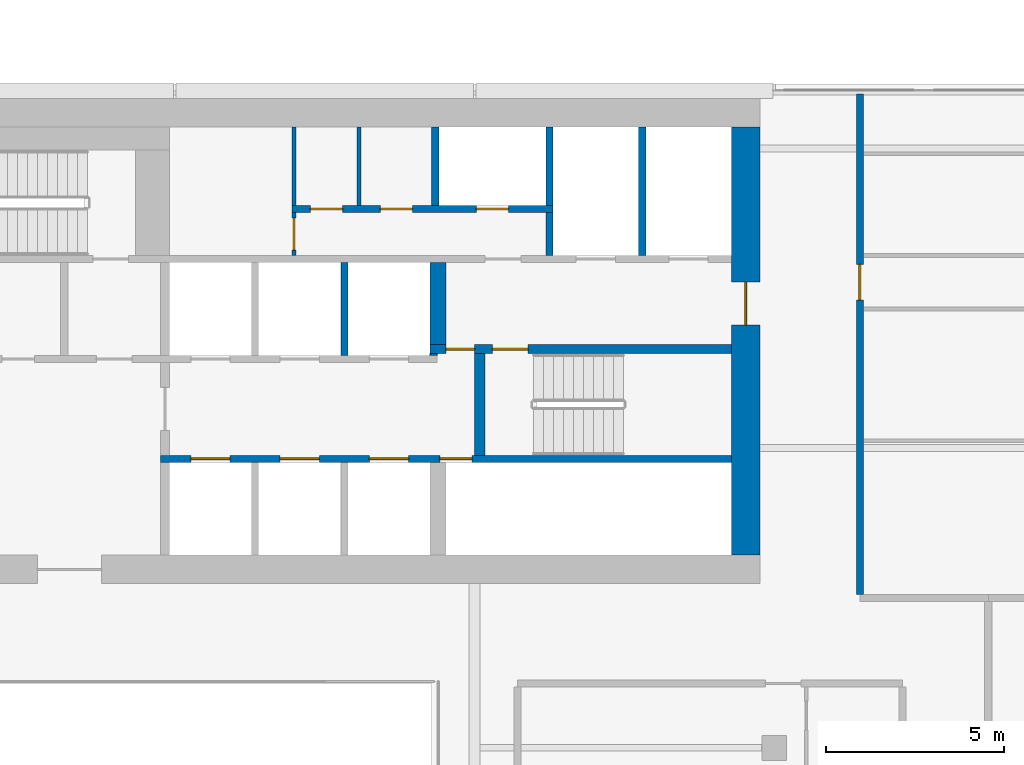
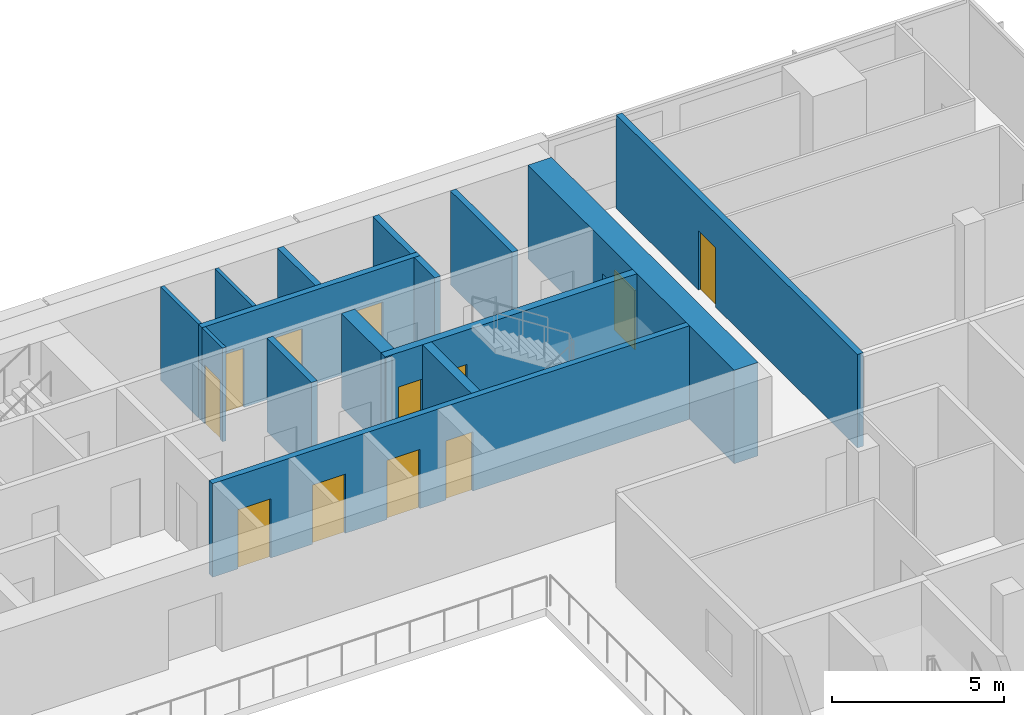
# One storey, part 22 of 28: 16 walls, 12 doors, 12 openings.
"""IFC4 building model written with IfcOpenShell, lengths in metres."""

import ifcopenshell
import ifcopenshell.guid

model = None  # the IFC model being written
_history = None  # IfcOwnerHistory: only IFC2X3 demands one
_inside = {}  # id of a spatial element -> (the spatial element, [elements in it])
_under = {}  # id of a project, library or spatial element -> (it, [spatial elements below it])
_declared = {}  # id of a project -> (the project, [libraries it declares])
_typed = {}  # id of a type object -> (the type object, [elements of that type])
_made_of = {}  # id of a material, layer set ... -> (it, [elements and type objects made of it])


def new_model(schema):
    """Start an empty IFC model of exactly this schema.

    Asked for "IFC4X3", IfcOpenShell would pick the latest addendum, in which some entities
    have other attributes; the version numbers below select the first issue.
    IFC2X3 requires an IfcOwnerHistory on every rooted entity: one is made here for all.
    """
    global model, _history
    if schema == "IFC4X3":
        model = ifcopenshell.file(schema_version=(4, 3, 0, 0))
    else:
        model = ifcopenshell.file(schema=schema)
    _inside.clear()
    _under.clear()
    _declared.clear()
    _typed.clear()
    _made_of.clear()
    _history = None
    if model.schema == "IFC2X3":
        org = make("IfcOrganization", Name="unknown")
        user = make(
            "IfcPersonAndOrganization",
            ThePerson=make("IfcPerson", FamilyName="unknown"),
            TheOrganization=org,
        )
        app = make(
            "IfcApplication",
            ApplicationDeveloper=org,
            Version="unknown",
            ApplicationFullName="unknown",
            ApplicationIdentifier="unknown",
        )
        _history = make(
            "IfcOwnerHistory",
            OwningUser=user,
            OwningApplication=app,
            ChangeAction="ADDED",
            CreationDate=0,
        )
    return model


def make(cls, **values):
    """One entity of the class cls with the attributes given. An attribute that is None is left unset."""
    return model.create_entity(
        cls, **{name: value for name, value in values.items() if value is not None}
    )


def rooted(cls, **values):
    """An entity with a GlobalId (a new one), such as an element, a storey or a relation."""
    return make(cls, GlobalId=ifcopenshell.guid.new(), OwnerHistory=_history, **values)


def si_unit(unit_type, name, prefix=None):
    """IfcSIUnit, for example si_unit("LENGTHUNIT", "METRE", prefix="MILLI")."""
    return make("IfcSIUnit", UnitType=unit_type, Prefix=prefix, Name=name)


def assignment(units):
    """IfcUnitAssignment: the units of a project."""
    return None if units is None else make("IfcUnitAssignment", Units=units)


def point(xyz):
    """IfcCartesianPoint."""
    return None if xyz is None else make("IfcCartesianPoint", Coordinates=xyz)


def direction(xyz):
    """IfcDirection."""
    return None if xyz is None else make("IfcDirection", DirectionRatios=xyz)


def frame(location, z_axis=None, x_axis=None):
    """IfcAxis2Placement3D, a coordinate frame: its origin and axes. An axis left out is left unset."""
    return make(
        "IfcAxis2Placement3D",
        Location=point(location),
        Axis=direction(z_axis),
        RefDirection=direction(x_axis),
    )


def frame_2d(location, x_axis=None):
    """IfcAxis2Placement2D, a coordinate frame in the plane: its origin and x axis."""
    return make(
        "IfcAxis2Placement2D", Location=point(location), RefDirection=direction(x_axis)
    )


def origin():
    """The frame at (0, 0, 0) with its axes left unset."""
    return frame((0.0, 0.0, 0.0))


def place(relative_to, where):
    """IfcLocalPlacement: puts the frame where relative to a parent placement (None: the world)."""
    return make(
        "IfcLocalPlacement", PlacementRelTo=relative_to, RelativePlacement=where
    )


def context(
    kind, dimensions, precision=None, world=None, true_north=None, identifier=None
):
    """IfcGeometricRepresentationContext, for example the 3D "Model" context."""
    return make(
        "IfcGeometricRepresentationContext",
        ContextIdentifier=identifier,
        ContextType=kind,
        CoordinateSpaceDimension=dimensions,
        Precision=precision,
        WorldCoordinateSystem=world,
        TrueNorth=true_north,
    )


def subcontext(parent, identifier, kind, view, scale=None):
    """IfcGeometricRepresentationSubContext, for example "Body" below "Model"."""
    return make(
        "IfcGeometricRepresentationSubContext",
        ContextIdentifier=identifier,
        ContextType=kind,
        ParentContext=parent,
        TargetScale=scale,
        TargetView=view,
    )


def project(units=None, contexts=None):
    """IfcProject with its units and contexts."""
    return rooted(
        "IfcProject",
        Name="project",
        RepresentationContexts=contexts,
        UnitsInContext=assignment(units),
    )


def spatial(cls, under=None, at=None, **own):
    """A site, building, storey or space (cls), placed at a placement, below another one or the project."""
    s = rooted(cls, ObjectPlacement=at, **own)
    if under is not None:
        _under.setdefault(under.id(), (under, []))[1].append(s)
    return s


def profile(cls, at=None, kind="AREA", **sizes):
    """A parametric profile (cls). Its sizes go by their IFC names, for example OverallWidth=200.0."""
    return make(cls, ProfileType=kind, Position=at, **sizes)


def rectangle(**sizes):
    """IfcRectangleProfileDef."""
    return profile("IfcRectangleProfileDef", **sizes)


def extrude(swept, where, along, depth):
    """IfcExtrudedAreaSolid: the profile swept, set in the frame where, extruded along a direction by depth."""
    return make(
        "IfcExtrudedAreaSolid",
        SweptArea=swept,
        Position=where,
        ExtrudedDirection=direction(along),
        Depth=depth,
    )


def shape(context_of_items, identifier, shape_type, items):
    """IfcShapeRepresentation: the items that make up one representation, for example the "Body"."""
    return make(
        "IfcShapeRepresentation",
        ContextOfItems=context_of_items,
        RepresentationIdentifier=identifier,
        RepresentationType=shape_type,
        Items=items,
    )


def material(Name=None, Category=None):
    """IfcMaterial."""
    return make("IfcMaterial", Name=Name, Category=Category)


def layer(
    of_material, thickness, ventilated=None, Name=None, Category=None, Priority=None
):
    """IfcMaterialLayer: one layer of a wall or slab, of a material (None: an air gap)."""
    return make(
        "IfcMaterialLayer",
        Material=of_material,
        LayerThickness=thickness,
        IsVentilated=ventilated,
        Name=Name,
        Category=Category,
        Priority=Priority,
    )


def layer_set(layers, Name=None):
    """IfcMaterialLayerSet."""
    return make("IfcMaterialLayerSet", MaterialLayers=layers, LayerSetName=Name)


def made_of(thing, what):
    """Note that an element or type object is made of a material, layer set ...; save() writes the relation."""
    if what is not None:
        _made_of.setdefault(what.id(), (what, []))[1].append(thing)
    return thing


def type_object(cls, material=None, **own):
    """A type object (cls), such as IfcWallType, which elements share."""
    return made_of(rooted(cls, **own), material)


def element(
    cls,
    number,
    at=None,
    inside=None,
    cuts=None,
    type_object=None,
    material=None,
    context=None,
    identifier="Body",
    shape_type=None,
    held_by="IfcProductDefinitionShape",
    body=None,
    shapes=None,
    **own,
):
    """One element of the class cls, such as IfcWall. Its Tag is "e" and its number.

    at: its placement. inside: the storey or other place that contains it. cuts: it is an
    opening in that element (IfcRelVoidsElement). A single representation is given by context,
    identifier, shape_type and body (its items); several are given by shapes. held_by: the class
    of the entity that holds the representations. save() writes the other relations.
    """
    e = rooted(cls, Tag="e%d" % number, ObjectPlacement=at, **own)
    if body is not None:
        shapes = [shape(context, identifier, shape_type, body)]
    if shapes is not None:
        e.Representation = make(held_by, Representations=shapes)
    if inside is not None:
        _inside.setdefault(inside.id(), (inside, []))[1].append(e)
    if cuts is not None:
        rooted(
            "IfcRelVoidsElement", RelatingBuildingElement=cuts, RelatedOpeningElement=e
        )
    if type_object is not None:
        _typed.setdefault(type_object.id(), (type_object, []))[1].append(e)
    return made_of(e, material)


def fill(opening, filler):
    """IfcRelFillsElement: the door or window that sits in an opening."""
    return rooted(
        "IfcRelFillsElement",
        RelatingOpeningElement=opening,
        RelatedBuildingElement=filler,
    )


def aggregate(whole, parts):
    """IfcRelAggregates: a whole, such as a stair, and the parts it consists of."""
    return rooted("IfcRelAggregates", RelatingObject=whole, RelatedObjects=parts)


def save(model, path):
    """Write the relations noted so far, then the file.

    IfcRelAggregates (storeys below a building ...), IfcRelContainedInSpatialStructure (elements
    in a storey), IfcRelDefinesByType, IfcRelAssociatesMaterial and IfcRelDeclares: one each for
    every whole, place, type object, material and project.
    """
    for whole, parts in _under.values():
        aggregate(whole, parts)
    for where, things in _inside.values():
        rooted(
            "IfcRelContainedInSpatialStructure",
            RelatedElements=things,
            RelatingStructure=where,
        )
    for kind, things in _typed.values():
        rooted("IfcRelDefinesByType", RelatedObjects=things, RelatingType=kind)
    for what, things in _made_of.values():
        rooted("IfcRelAssociatesMaterial", RelatedObjects=things, RelatingMaterial=what)
    for by, libraries in _declared.values():
        rooted("IfcRelDeclares", RelatingContext=by, RelatedDefinitions=libraries)
    model.write(path)


model = new_model("IFC4")

# Units and contexts
model_context = context("Model", 3, precision=1e-05, world=origin(), true_north=direction((0.0, 1.0)))
body_context = subcontext(model_context, "Body", "Model", "MODEL_VIEW")
ifc_project = project(units=[si_unit("LENGTHUNIT", "METRE"), si_unit("AREAUNIT", "SQUARE_METRE"), si_unit("VOLUMEUNIT", "CUBIC_METRE"), si_unit("PLANEANGLEUNIT", "RADIAN"), si_unit("MASSUNIT", "GRAM", prefix="KILO")], contexts=[model_context])

# Site, building, storey
site_placement = place(None, origin())
site = spatial("IfcSite", under=ifc_project, at=site_placement, CompositionType="ELEMENT")
building_placement = place(site_placement, origin())
building = spatial("IfcBuilding", under=site, at=building_placement, Name="Saffron Gate Tower", CompositionType="ELEMENT")
storey_placement = place(building_placement, frame((0.0, 0.0, 176.25)))
storey = spatial("IfcBuildingStorey", under=building, at=storey_placement, Name="L43", CompositionType="ELEMENT", Elevation=176.25)

# Wall, opening, door
ifc_material_1 = material(Name="Concrete C60", Category="concrete")
ifc_layer_1 = layer(ifc_material_1, 0.800048828125)
ifc_layer_set_1 = layer_set([ifc_layer_1], Name="CW13 RC core wall 800 C60")
wall_type_1 = type_object("IfcWallType", Name="CW13 RC core wall 800 C60", PredefinedType="SOLIDWALL", material=ifc_layer_set_1)
wall_1_placement = place(storey_placement, frame((107.800048828125, 62.39990234375, 0.0), z_axis=(0.0, 0.0, 1.0), x_axis=(0.0, 1.0, 0.0)))
wall_1 = element("IfcWall", 1, at=wall_1_placement, inside=storey, type_object=wall_type_1, Name="Wall CW13-L43-4", PredefinedType="SOLIDWALL", context=body_context, shape_type="SweptSolid", body=[
    extrude(rectangle(XDim=12.0, YDim=0.800048828125, at=frame_2d((6.0, 0.0))), origin(), (0.0, 0.0, 1.0), 3.320068359375),
])
opening_1_placement = place(wall_1_placement, frame((6.449951171875, 0.0, 0.0)))
opening_1 = element("IfcOpeningElement", 2, at=opening_1_placement, cuts=wall_1, Name="Opening CR-08", PredefinedType="OPENING", context=body_context, shape_type="SweptSolid", body=[
    extrude(rectangle(XDim=1.199951171875, YDim=2.10009765625, at=frame_2d((0.60009765625, 1.050048828125))), frame((0.0, 0.41015625, 0.0), z_axis=(0.0, -1.0, 0.0), x_axis=(1.0, 0.0, 0.0)), (0.0, 0.0, 1.0), 0.820068359375),
])
ifc_material_2 = material(Name="Steel fire door set", Category="steel")
door_type_1 = type_object("IfcDoorType", Name="CD7 Core entrance door 1200x2100 EI 120", OperationType="NOTDEFINED", PredefinedType="DOOR", material=ifc_material_2)
door_1_placement = place(opening_1_placement, origin())
door_1 = element("IfcDoor", 3, at=door_1_placement, inside=storey, type_object=door_type_1, Name="DOOR CR-08", OperationType="SINGLE_SWING_RIGHT", OverallHeight=2.10009765625, OverallWidth=1.199951171875, PredefinedType="DOOR", context=body_context, shape_type="SweptSolid", body=[
    extrude(rectangle(XDim=1.199951171875, YDim=2.10009765625, at=frame_2d((0.60009765625, 1.050048828125))), frame((0.0, 0.02490234375, 0.0), z_axis=(0.0, -1.0, 0.0), x_axis=(1.0, 0.0, 0.0)), (0.0, 0.0, 1.0), 0.050048828125),
])
fill(opening_1, door_1)

# Wall, openings, doors
ifc_layer_2 = layer(ifc_material_1, 0.25)
ifc_layer_set_2 = layer_set([ifc_layer_2], Name="CW14 RC core wall 250 C60")
wall_type_2 = type_object("IfcWallType", Name="CW14 RC core wall 250 C60", PredefinedType="SOLIDWALL", material=ifc_layer_set_2)
wall_2_placement = place(storey_placement, frame((98.949951171875, 68.175048828125, 0.0), z_axis=(0.0, 0.0, 1.0), x_axis=(1.0, 0.0, 0.0)))
wall_2 = element("IfcWall", 4, at=wall_2_placement, inside=storey, type_object=wall_type_2, Name="Wall CW14-L43-29", PredefinedType="SOLIDWALL", context=body_context, shape_type="SweptSolid", body=[
    extrude(rectangle(XDim=8.449951171875, YDim=0.25, at=frame_2d((4.22509765625, 0.0))), origin(), (0.0, 0.0, 1.0), 3.320068359375),
])
opening_2_placement = place(wall_2_placement, frame((0.449951171875, 0.0, 0.0)))
opening_2 = element("IfcOpeningElement", 5, at=opening_2_placement, cuts=wall_2, Name="Opening CR-05", PredefinedType="OPENING", context=body_context, shape_type="SweptSolid", body=[
    extrude(rectangle(XDim=0.800048828125, YDim=2.10009765625, at=frame_2d((0.39990234375, 1.050048828125))), frame((0.0, 0.135009765625, 0.0), z_axis=(0.0, -1.0, 0.0), x_axis=(1.0, 0.0, 0.0)), (0.0, 0.0, 1.0), 0.27001953125),
])
opening_3_placement = place(wall_2_placement, frame((1.75, 0.0, 0.0)))
opening_3 = element("IfcOpeningElement", 6, at=opening_3_placement, cuts=wall_2, Name="Opening CR-16", PredefinedType="OPENING", context=body_context, shape_type="SweptSolid", body=[
    extrude(rectangle(XDim=1.0, YDim=2.10009765625, at=frame_2d((0.5, 1.050048828125))), frame((0.0, 0.135009765625, 0.0), z_axis=(0.0, -1.0, 0.0), x_axis=(1.0, 0.0, 0.0)), (0.0, 0.0, 1.0), 0.27001953125),
])
door_type_2 = type_object("IfcDoorType", Name="CD5 Stair door 1000x2100 EI 120", OperationType="NOTDEFINED", PredefinedType="DOOR", material=ifc_material_2)
door_2_placement = place(opening_3_placement, origin())
door_2 = element("IfcDoor", 7, at=door_2_placement, inside=storey, type_object=door_type_2, Name="DOOR CR-16", OperationType="SINGLE_SWING_RIGHT", OverallHeight=2.10009765625, OverallWidth=1.0, PredefinedType="DOOR", context=body_context, shape_type="SweptSolid", body=[
    extrude(rectangle(XDim=1.0, YDim=2.10009765625, at=frame_2d((0.5, 1.050048828125))), frame((0.0, 0.02490234375, 0.0), z_axis=(0.0, -1.0, 0.0), x_axis=(1.0, 0.0, 0.0)), (0.0, 0.0, 1.0), 0.050048828125),
])
fill(opening_3, door_2)
door_type_3 = type_object("IfcDoorType", Name="CD6 Lobby door 800x2100 EI 120", OperationType="NOTDEFINED", PredefinedType="DOOR", material=ifc_material_2)
door_3_placement = place(opening_2_placement, origin())
door_3 = element("IfcDoor", 8, at=door_3_placement, inside=storey, type_object=door_type_3, Name="DOOR CR-05", OperationType="SINGLE_SWING_LEFT", OverallHeight=2.10009765625, OverallWidth=0.800048828125, PredefinedType="DOOR", context=body_context, shape_type="SweptSolid", body=[
    extrude(rectangle(XDim=0.800048828125, YDim=2.10009765625, at=frame_2d((0.39990234375, 1.050048828125))), frame((0.0, 0.02490234375, 0.0), z_axis=(0.0, -1.0, 0.0), x_axis=(1.0, 0.0, 0.0)), (0.0, 0.0, 1.0), 0.050048828125),
])
fill(opening_2, door_3)

ifc_layer_3 = layer(ifc_material_1, 0.199951171875)
ifc_layer_set_3 = layer_set([ifc_layer_3], Name="CW15 RC core wall 200 C60")
wall_type_3 = type_object("IfcWallType", Name="CW15 RC core wall 200 C60", PredefinedType="SOLIDWALL", material=ifc_layer_set_3)
wall_3_placement = place(storey_placement, frame((91.39990234375, 65.10009765625, 0.0), z_axis=(0.0, 0.0, 1.0), x_axis=(1.0, 0.0, 0.0)))
wall_3 = element("IfcWall", 9, at=wall_3_placement, inside=storey, type_object=wall_type_3, Name="Wall CW15-L43-14", PredefinedType="SOLIDWALL", context=body_context, shape_type="SweptSolid", body=[
    extrude(rectangle(XDim=16.0, YDim=0.199951171875, at=frame_2d((8.0, 0.0))), origin(), (0.0, 0.0, 1.0), 3.320068359375),
])
opening_4_placement = place(wall_3_placement, frame((0.85009765625, 0.0, 0.0)))
opening_4 = element("IfcOpeningElement", 10, at=opening_4_placement, cuts=wall_3, Name="Opening LD-HR1", PredefinedType="OPENING", context=body_context, shape_type="SweptSolid", body=[
    extrude(rectangle(XDim=1.10009765625, YDim=2.10009765625, at=frame_2d((0.550048828125, 1.050048828125))), frame((0.0, 0.10986328125, 0.0), z_axis=(0.0, -1.0, 0.0), x_axis=(1.0, 0.0, 0.0)), (0.0, 0.0, 1.0), 0.219970703125),
])
opening_5_placement = place(wall_3_placement, frame((3.35009765625, 0.0, 0.0)))
opening_5 = element("IfcOpeningElement", 11, at=opening_5_placement, cuts=wall_3, Name="Opening LD-HR2", PredefinedType="OPENING", context=body_context, shape_type="SweptSolid", body=[
    extrude(rectangle(XDim=1.10009765625, YDim=2.10009765625, at=frame_2d((0.550048828125, 1.050048828125))), frame((0.0, 0.10986328125, 0.0), z_axis=(0.0, -1.0, 0.0), x_axis=(1.0, 0.0, 0.0)), (0.0, 0.0, 1.0), 0.219970703125),
])
opening_6_placement = place(wall_3_placement, frame((5.85009765625, 0.0, 0.0)))
opening_6 = element("IfcOpeningElement", 12, at=opening_6_placement, cuts=wall_3, Name="Opening LD-HR3", PredefinedType="OPENING", context=body_context, shape_type="SweptSolid", body=[
    extrude(rectangle(XDim=1.10009765625, YDim=2.10009765625, at=frame_2d((0.550048828125, 1.050048828125))), frame((0.0, 0.10986328125, 0.0), z_axis=(0.0, -1.0, 0.0), x_axis=(1.0, 0.0, 0.0)), (0.0, 0.0, 1.0), 0.219970703125),
])
opening_7_placement = place(wall_3_placement, frame((7.830078125, 0.0, 0.0)))
opening_7 = element("IfcOpeningElement", 13, at=opening_7_placement, cuts=wall_3, Name="Opening CR-48", PredefinedType="OPENING", context=body_context, shape_type="SweptSolid", body=[
    extrude(rectangle(XDim=0.89990234375, YDim=2.10009765625, at=frame_2d((0.449951171875, 1.050048828125))), frame((0.0, 0.10986328125, 0.0), z_axis=(0.0, -1.0, 0.0), x_axis=(1.0, 0.0, 0.0)), (0.0, 0.0, 1.0), 0.219970703125),
])
door_type_4 = type_object("IfcDoorType", Name="CD2 Riser door 900x2100 EI 60", OperationType="NOTDEFINED", PredefinedType="DOOR", material=ifc_material_2)
door_4_placement = place(opening_7_placement, origin())
door_4 = element("IfcDoor", 14, at=door_4_placement, inside=storey, type_object=door_type_4, Name="DOOR CR-48", OperationType="SINGLE_SWING_RIGHT", OverallHeight=2.10009765625, OverallWidth=0.89990234375, PredefinedType="DOOR", context=body_context, shape_type="SweptSolid", body=[
    extrude(rectangle(XDim=0.89990234375, YDim=2.10009765625, at=frame_2d((0.449951171875, 1.050048828125))), frame((0.0, 0.02490234375, 0.0), z_axis=(0.0, -1.0, 0.0), x_axis=(1.0, 0.0, 0.0)), (0.0, 0.0, 1.0), 0.050048828125),
])
fill(opening_7, door_4)
ifc_material_3 = material(Name="Stainless steel landing door", Category="steel")
door_type_5 = type_object("IfcDoorType", Name="LD Lift landing door 1100x2100 EI 120", OperationType="SLIDING_TO_LEFT", PredefinedType="DOOR", material=ifc_material_3)
door_5_placement = place(opening_4_placement, origin())
door_5 = element("IfcDoor", 15, at=door_5_placement, inside=storey, type_object=door_type_5, Name="LANDING DOOR LD-HR1", OperationType="SLIDING_TO_LEFT", OverallHeight=2.10009765625, OverallWidth=1.10009765625, PredefinedType="DOOR", context=body_context, shape_type="SweptSolid", body=[
    extrude(rectangle(XDim=1.10009765625, YDim=2.10009765625, at=frame_2d((0.550048828125, 1.050048828125))), frame((0.0, 0.02490234375, 0.0), z_axis=(0.0, -1.0, 0.0), x_axis=(1.0, 0.0, 0.0)), (0.0, 0.0, 1.0), 0.050048828125),
])
fill(opening_4, door_5)
door_6_placement = place(opening_5_placement, origin())
door_6 = element("IfcDoor", 16, at=door_6_placement, inside=storey, type_object=door_type_5, Name="LANDING DOOR LD-HR2", OperationType="SLIDING_TO_LEFT", OverallHeight=2.10009765625, OverallWidth=1.10009765625, PredefinedType="DOOR", context=body_context, shape_type="SweptSolid", body=[
    extrude(rectangle(XDim=1.10009765625, YDim=2.10009765625, at=frame_2d((0.550048828125, 1.050048828125))), frame((0.0, 0.02490234375, 0.0), z_axis=(0.0, -1.0, 0.0), x_axis=(1.0, 0.0, 0.0)), (0.0, 0.0, 1.0), 0.050048828125),
])
fill(opening_5, door_6)
door_7_placement = place(opening_6_placement, origin())
door_7 = element("IfcDoor", 17, at=door_7_placement, inside=storey, type_object=door_type_5, Name="LANDING DOOR LD-HR3", OperationType="SLIDING_TO_LEFT", OverallHeight=2.10009765625, OverallWidth=1.10009765625, PredefinedType="DOOR", context=body_context, shape_type="SweptSolid", body=[
    extrude(rectangle(XDim=1.10009765625, YDim=2.10009765625, at=frame_2d((0.550048828125, 1.050048828125))), frame((0.0, 0.02490234375, 0.0), z_axis=(0.0, -1.0, 0.0), x_axis=(1.0, 0.0, 0.0)), (0.0, 0.0, 1.0), 0.050048828125),
])
fill(opening_6, door_7)

# Walls
wall_4_placement = place(storey_placement, frame((96.550048828125, 68.0, 0.0), z_axis=(0.0, 0.0, 1.0), x_axis=(0.0, 1.0, 0.0)))
element("IfcWall", 18, at=wall_4_placement, inside=storey, type_object=wall_type_3, Name="Wall CW15-L43-26", PredefinedType="SOLIDWALL", context=body_context, shape_type="SweptSolid", body=[
    extrude(rectangle(XDim=2.60009765625, YDim=0.199951171875, at=frame_2d((1.300048828125, 0.0))), origin(), (0.0, 0.0, 1.0), 3.320068359375),
])
wall_5_placement = place(storey_placement, frame((102.300048828125, 70.800048828125, 0.0), z_axis=(0.0, 0.0, 1.0), x_axis=(0.0, 1.0, 0.0)))
element("IfcWall", 19, at=wall_5_placement, inside=storey, type_object=wall_type_3, Name="Wall CW15-L43-39", PredefinedType="SOLIDWALL", context=body_context, shape_type="SweptSolid", body=[
    extrude(rectangle(XDim=1.199951171875, YDim=0.199951171875, at=frame_2d((0.60009765625, 0.0))), origin(), (0.0, 0.0, 1.0), 3.320068359375),
])
wall_6_placement = place(storey_placement, frame((104.89990234375, 70.800048828125, 0.0), z_axis=(0.0, 0.0, 1.0), x_axis=(0.0, 1.0, 0.0)))
element("IfcWall", 20, at=wall_6_placement, inside=storey, type_object=wall_type_3, Name="Wall CW15-L43-40", PredefinedType="SOLIDWALL", context=body_context, shape_type="SweptSolid", body=[
    extrude(rectangle(XDim=3.599853515625, YDim=0.199951171875, at=frame_2d((1.7998046875, 0.0))), origin(), (0.0, 0.0, 1.0), 3.320068359375),
])

# Wall, openings, doors
wall_7_placement = place(storey_placement, frame((95.080078125, 72.10009765625, 0.0), z_axis=(0.0, 0.0, 1.0), x_axis=(1.0, 0.0, 0.0)))
wall_7 = element("IfcWall", 21, at=wall_7_placement, inside=storey, type_object=wall_type_3, Name="Wall CW15-L43-42", PredefinedType="SOLIDWALL", context=body_context, shape_type="SweptSolid", body=[
    extrude(rectangle(XDim=7.31982421875, YDim=0.199951171875, at=frame_2d((3.659912109375, 0.0))), origin(), (0.0, 0.0, 1.0), 3.320068359375),
])
opening_8_placement = place(wall_7_placement, frame((0.52001953125, 0.0, 0.0)))
opening_8 = element("IfcOpeningElement", 22, at=opening_8_placement, cuts=wall_7, Name="Opening CR-50", PredefinedType="OPENING", context=body_context, shape_type="SweptSolid", body=[
    extrude(rectangle(XDim=0.89990234375, YDim=2.10009765625, at=frame_2d((0.449951171875, 1.050048828125))), frame((0.0, 0.10986328125, 0.0), z_axis=(0.0, -1.0, 0.0), x_axis=(1.0, 0.0, 0.0)), (0.0, 0.0, 1.0), 0.219970703125),
])
opening_9_placement = place(wall_7_placement, frame((2.47998046875, 0.0, 0.0)))
opening_9 = element("IfcOpeningElement", 23, at=opening_9_placement, cuts=wall_7, Name="Opening CR-53", PredefinedType="OPENING", context=body_context, shape_type="SweptSolid", body=[
    extrude(rectangle(XDim=0.89990234375, YDim=2.10009765625, at=frame_2d((0.449951171875, 1.050048828125))), frame((0.0, 0.10986328125, 0.0), z_axis=(0.0, -1.0, 0.0), x_axis=(1.0, 0.0, 0.0)), (0.0, 0.0, 1.0), 0.219970703125),
])
opening_10_placement = place(wall_7_placement, frame((5.169921875, 0.0, 0.0)))
opening_10 = element("IfcOpeningElement", 24, at=opening_10_placement, cuts=wall_7, Name="Opening CR-70", PredefinedType="OPENING", context=body_context, shape_type="SweptSolid", body=[
    extrude(rectangle(XDim=0.89990234375, YDim=2.10009765625, at=frame_2d((0.449951171875, 1.050048828125))), frame((0.0, 0.10986328125, 0.0), z_axis=(0.0, -1.0, 0.0), x_axis=(1.0, 0.0, 0.0)), (0.0, 0.0, 1.0), 0.219970703125),
])
door_8_placement = place(opening_10_placement, origin())
door_8 = element("IfcDoor", 25, at=door_8_placement, inside=storey, type_object=door_type_4, Name="DOOR CR-70", OperationType="SINGLE_SWING_LEFT", OverallHeight=2.10009765625, OverallWidth=0.89990234375, PredefinedType="DOOR", context=body_context, shape_type="SweptSolid", body=[
    extrude(rectangle(XDim=0.89990234375, YDim=2.10009765625, at=frame_2d((0.449951171875, 1.050048828125))), frame((0.0, 0.02490234375, 0.0), z_axis=(0.0, -1.0, 0.0), x_axis=(1.0, 0.0, 0.0)), (0.0, 0.0, 1.0), 0.050048828125),
])
fill(opening_10, door_8)
door_type_6 = type_object("IfcDoorType", Name="CD9 Room door 900x2100 EI 60", OperationType="NOTDEFINED", PredefinedType="DOOR", material=ifc_material_2)
door_9_placement = place(opening_8_placement, origin())
door_9 = element("IfcDoor", 26, at=door_9_placement, inside=storey, type_object=door_type_6, Name="DOOR CR-50", OperationType="SINGLE_SWING_LEFT", OverallHeight=2.10009765625, OverallWidth=0.89990234375, PredefinedType="DOOR", context=body_context, shape_type="SweptSolid", body=[
    extrude(rectangle(XDim=0.89990234375, YDim=2.10009765625, at=frame_2d((0.449951171875, 1.050048828125))), frame((0.0, 0.02490234375, 0.0), z_axis=(0.0, -1.0, 0.0), x_axis=(1.0, 0.0, 0.0)), (0.0, 0.0, 1.0), 0.050048828125),
])
fill(opening_8, door_9)
door_10_placement = place(opening_9_placement, origin())
door_10 = element("IfcDoor", 27, at=door_10_placement, inside=storey, type_object=door_type_6, Name="DOOR CR-53", OperationType="SINGLE_SWING_LEFT", OverallHeight=2.10009765625, OverallWidth=0.89990234375, PredefinedType="DOOR", context=body_context, shape_type="SweptSolid", body=[
    extrude(rectangle(XDim=0.89990234375, YDim=2.10009765625, at=frame_2d((0.449951171875, 1.050048828125))), frame((0.0, 0.02490234375, 0.0), z_axis=(0.0, -1.0, 0.0), x_axis=(1.0, 0.0, 0.0)), (0.0, 0.0, 1.0), 0.050048828125),
])
fill(opening_9, door_10)

# Walls
for number, where, z_axis, x_axis, name in (
    (28, (99.10009765625, 72.199951171875, 0.0), (0.0, 0.0, 1.0), (0.0, 1.0, 0.0), "Wall CW15-L43-49"),
    (29, (102.300048828125, 72.199951171875, 0.0), (0.0, 0.0, 1.0), (0.0, 1.0, 0.0), "Wall CW15-L43-50"),
):
    element("IfcWall", number, at=place(storey_placement, frame(where, z_axis=z_axis, x_axis=x_axis)), inside=storey, type_object=wall_type_3, Name=name, PredefinedType="SOLIDWALL", context=body_context, shape_type="SweptSolid", body=[
        extrude(rectangle(XDim=2.199951171875, YDim=0.199951171875, at=frame_2d((1.10009765625, 0.0))), origin(), (0.0, 0.0, 1.0), 3.320068359375),
    ])
ifc_layer_4 = layer(ifc_material_1, 0.449951171875)
ifc_layer_set_4 = layer_set([ifc_layer_4], Name="CW16 RC core wall 450 C60")
wall_type_4 = type_object("IfcWallType", Name="CW16 RC core wall 450 C60", PredefinedType="SOLIDWALL", material=ifc_layer_set_4)
wall_8_placement = place(storey_placement, frame((99.175048828125, 68.300048828125, 0.0), z_axis=(0.0, 0.0, 1.0), x_axis=(0.0, 1.0, 0.0)))
element("IfcWall", 30, at=wall_8_placement, inside=storey, type_object=wall_type_4, Name="Wall CW16-L43-31", PredefinedType="SOLIDWALL", context=body_context, shape_type="SweptSolid", body=[
    extrude(rectangle(XDim=2.300048828125, YDim=0.449951171875, at=frame_2d((1.14990234375, 0.0))), origin(), (0.0, 0.0, 1.0), 3.320068359375),
])
ifc_layer_5 = layer(ifc_material_1, 0.300048828125)
ifc_layer_set_5 = layer_set([ifc_layer_5], Name="CW17 RC core wall 300 C60")
wall_type_5 = type_object("IfcWallType", Name="CW17 RC core wall 300 C60", PredefinedType="SOLIDWALL", material=ifc_layer_set_5)
wall_9_placement = place(storey_placement, frame((100.35009765625, 65.199951171875, 0.0), z_axis=(0.0, 0.0, 1.0), x_axis=(0.0, 1.0, 0.0)))
element("IfcWall", 31, at=wall_9_placement, inside=storey, type_object=wall_type_5, Name="Wall CW17-L43-18", PredefinedType="SOLIDWALL", context=body_context, shape_type="SweptSolid", body=[
    extrude(rectangle(XDim=2.85009765625, YDim=0.300048828125, at=frame_2d((1.425048828125, 0.0))), origin(), (0.0, 0.0, 1.0), 3.320068359375),
])
ifc_layer_6 = layer(ifc_material_1, 0.050048828125)
ifc_layer_set_6 = layer_set([ifc_layer_6], Name="CW18 RC core wall 50 C60")
wall_type_6 = type_object("IfcWallType", Name="CW18 RC core wall 50 C60", PredefinedType="SOLIDWALL", material=ifc_layer_set_6)
wall_10_placement = place(storey_placement, frame((98.949951171875, 68.02490234375, 0.0), z_axis=(0.0, 0.0, 1.0), x_axis=(1.0, 0.0, 0.0)))
element("IfcWall", 32, at=wall_10_placement, inside=storey, type_object=wall_type_6, Name="Wall CW18-L43-27", PredefinedType="SOLIDWALL", context=body_context, shape_type="SweptSolid", body=[
    extrude(rectangle(XDim=0.199951171875, YDim=0.050048828125, at=frame_2d((0.10009765625, 0.0))), origin(), (0.0, 0.0, 1.0), 3.320068359375),
])

# Wall, opening, door
ifc_material_4 = material(Name="Gypsum board partition on steel studs", Category="steel")
ifc_layer_7 = layer(ifc_material_4, 0.1201171875)
ifc_layer_set_7 = layer_set([ifc_layer_7], Name="CW8 Core partition 120")
wall_type_7 = type_object("IfcWallType", Name="CW8 Core partition 120", PredefinedType="PARTITIONING", material=ifc_layer_set_7)
wall_11_placement = place(storey_placement, frame((95.139892578125, 70.800048828125, 0.0), z_axis=(0.0, 0.0, 1.0), x_axis=(0.0, 1.0, 0.0)))
wall_11 = element("IfcWall", 33, at=wall_11_placement, inside=storey, type_object=wall_type_7, Name="Wall CW8-L43-38", PredefinedType="PARTITIONING", context=body_context, shape_type="SweptSolid", body=[
    extrude(rectangle(XDim=1.199951171875, YDim=0.1201171875, at=frame_2d((0.60009765625, 0.0))), origin(), (0.0, 0.0, 1.0), 3.320068359375),
])
opening_11_placement = place(wall_11_placement, frame((0.14990234375, 0.0, 0.0)))
opening_11 = element("IfcOpeningElement", 34, at=opening_11_placement, cuts=wall_11, Name="Opening CR-54", PredefinedType="OPENING", context=body_context, shape_type="SweptSolid", body=[
    extrude(rectangle(XDim=0.89990234375, YDim=2.10009765625, at=frame_2d((0.449951171875, 1.050048828125))), frame((0.0, 0.070068359375, 0.0), z_axis=(0.0, -1.0, 0.0), x_axis=(1.0, 0.0, 0.0)), (0.0, 0.0, 1.0), 0.14013671875),
])
door_11_placement = place(opening_11_placement, origin())
door_11 = element("IfcDoor", 35, at=door_11_placement, inside=storey, type_object=door_type_6, Name="DOOR CR-54", OperationType="SINGLE_SWING_LEFT", OverallHeight=2.10009765625, OverallWidth=0.89990234375, PredefinedType="DOOR", context=body_context, shape_type="SweptSolid", body=[
    extrude(rectangle(XDim=0.89990234375, YDim=2.10009765625, at=frame_2d((0.449951171875, 1.050048828125))), frame((0.0, 0.02490234375, 0.0), z_axis=(0.0, -1.0, 0.0), x_axis=(1.0, 0.0, 0.0)), (0.0, 0.0, 1.0), 0.050048828125),
])
fill(opening_11, door_11)

# Walls
for number, where, z_axis, x_axis, name in (
    (36, (95.139892578125, 72.199951171875, 0.0), (0.0, 0.0, 1.0), (0.0, 1.0, 0.0), "Wall CW8-L43-47"),
    (37, (96.9599609375, 72.199951171875, 0.0), (0.0, 0.0, 1.0), (0.0, 1.0, 0.0), "Wall CW8-L43-48"),
):
    element("IfcWall", number, at=place(storey_placement, frame(where, z_axis=z_axis, x_axis=x_axis)), inside=storey, type_object=wall_type_7, Name=name, PredefinedType="PARTITIONING", context=body_context, shape_type="SweptSolid", body=[
        extrude(rectangle(XDim=2.199951171875, YDim=0.1201171875, at=frame_2d((1.10009765625, 0.0))), origin(), (0.0, 0.0, 1.0), 3.320068359375),
    ])

# Wall, opening, door
ifc_material_5 = material(Name="Clay brick masonry, rendered", Category="masonry")
ifc_layer_8 = layer(ifc_material_5, 0.199951171875)
ifc_layer_set_8 = layer_set([ifc_layer_8], Name="PW3 Corridor wall 200")
wall_type_8 = type_object("IfcWallType", Name="PW3 Corridor wall 200", PredefinedType="PARTITIONING", material=ifc_layer_set_8)
wall_12_placement = place(storey_placement, frame((111.0, 75.320068359375, 0.0), z_axis=(0.0, 0.0, 1.0), x_axis=(0.0, -1.0, 0.0)))
wall_12 = element("IfcWall", 38, at=wall_12_placement, inside=storey, type_object=wall_type_8, Name="Wall C3-104", PredefinedType="PARTITIONING", context=body_context, shape_type="SweptSolid", body=[
    extrude(rectangle(XDim=14.02001953125, YDim=0.199951171875, at=frame_2d((7.010009765625, 0.0))), origin(), (0.0, 0.0, 1.0), 3.320068359375),
])
opening_12_placement = place(wall_12_placement, frame((4.77001953125, 0.0, 0.0)))
opening_12 = element("IfcOpeningElement", 39, at=opening_12_placement, cuts=wall_12, Name="Opening C3-8", PredefinedType="OPENING", context=body_context, shape_type="SweptSolid", body=[
    extrude(rectangle(XDim=1.0, YDim=2.10009765625, at=frame_2d((0.5, 1.050048828125))), frame((0.0, 0.10986328125, 0.0), z_axis=(0.0, -1.0, 0.0), x_axis=(1.0, 0.0, 0.0)), (0.0, 0.0, 1.0), 0.219970703125),
])
ifc_material_6 = material(Name="Timber fire door set", Category="wood")
door_type_7 = type_object("IfcDoorType", Name="FD1 Flat entry door 1000x2100", OperationType="NOTDEFINED", PredefinedType="DOOR", material=ifc_material_6)
door_12_placement = place(opening_12_placement, origin())
door_12 = element("IfcDoor", 40, at=door_12_placement, inside=storey, type_object=door_type_7, Name="Door C3-8", OperationType="SINGLE_SWING_RIGHT", OverallHeight=2.10009765625, OverallWidth=1.0, PredefinedType="DOOR", context=body_context, shape_type="SweptSolid", body=[
    extrude(rectangle(XDim=1.0, YDim=2.10009765625, at=frame_2d((0.5, 1.050048828125))), frame((0.0, 0.02490234375, 0.0), z_axis=(0.0, -1.0, 0.0), x_axis=(1.0, 0.0, 0.0)), (0.0, 0.0, 1.0), 0.050048828125),
])
fill(opening_12, door_12)

save(model, "model.ifc")
